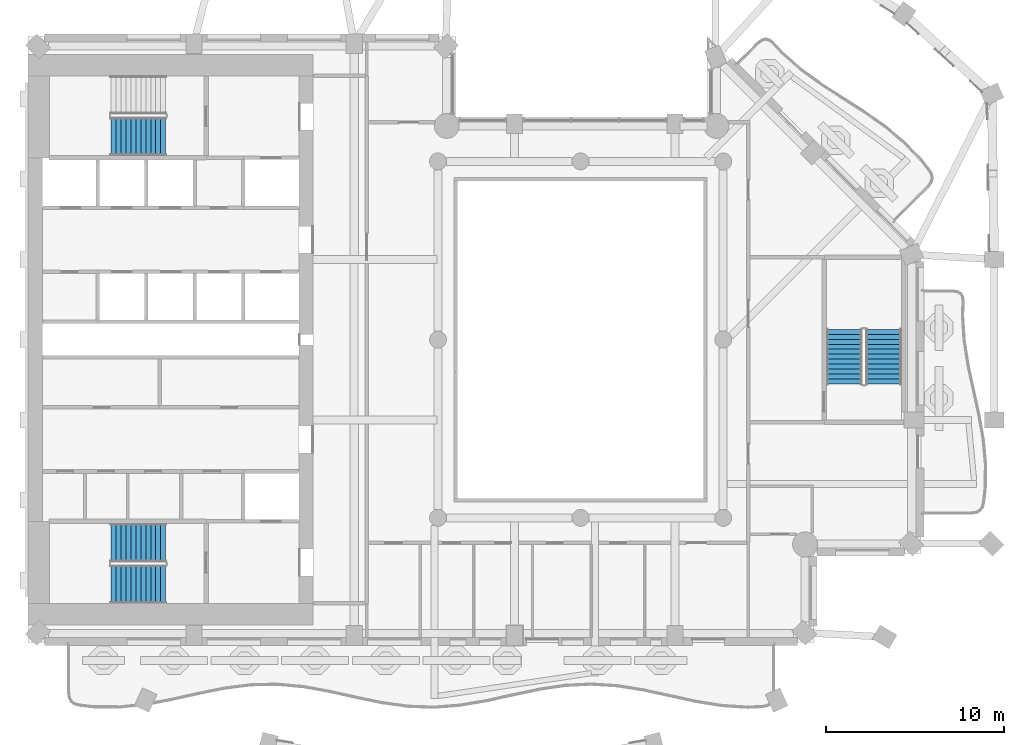
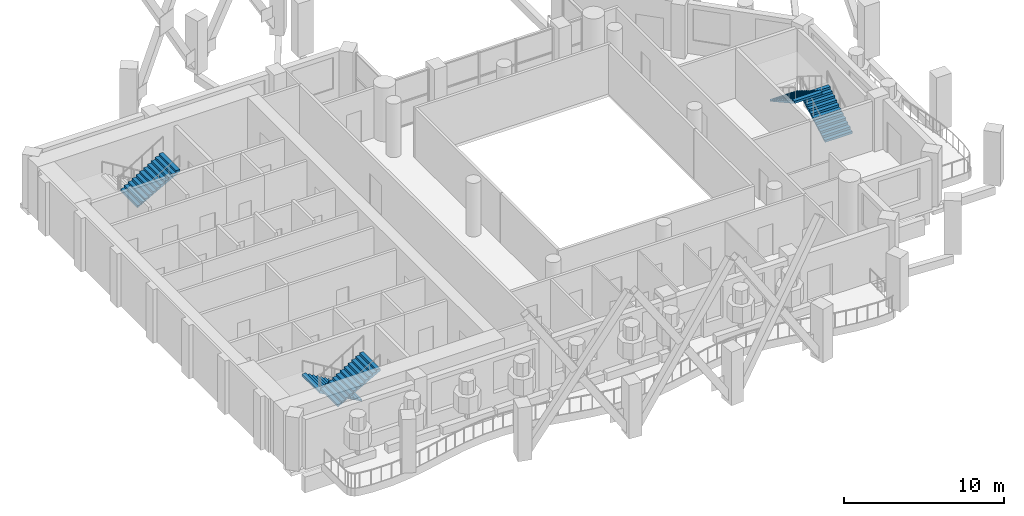
# One storey, part 9 of 16: 5 stair flights, 3 elements without a shape of their own.
"""IFC4 building model written with IfcOpenShell, lengths in metres."""

from ifc_helpers import new_model, si_unit, direction, frame, origin, place, context, subcontext, project, spatial, triangles, material, type_object, element, aggregate, save


model = new_model("IFC4")

# Units and contexts
model_context = context("Model", 3, precision=1e-05, world=origin(), true_north=direction((0.0, 1.0)))
body_context = subcontext(model_context, "Body", "Model", "MODEL_VIEW")
ifc_project = project(units=[si_unit("LENGTHUNIT", "METRE"), si_unit("AREAUNIT", "SQUARE_METRE"), si_unit("VOLUMEUNIT", "CUBIC_METRE"), si_unit("PLANEANGLEUNIT", "RADIAN"), si_unit("MASSUNIT", "GRAM", prefix="KILO")], contexts=[model_context])

# Site, building, storey
site_placement = place(None, origin())
site = spatial("IfcSite", under=ifc_project, at=site_placement, CompositionType="ELEMENT")
building_placement = place(site_placement, origin())
building = spatial("IfcBuilding", under=site, at=building_placement, Name="Cypress Arch Tower", CompositionType="ELEMENT")
storey_placement = place(building_placement, frame((0.0, 0.0, 168.699951171875)))
storey = spatial("IfcBuildingStorey", under=building, at=storey_placement, Name="L36", CompositionType="ELEMENT", Elevation=168.699951171875)

# Stair, stair flights
ifc_material_1 = material(Name="Concrete C40/50", Category="concrete")
stair_type_1 = type_object("IfcStairType", Name="Exit stair ES1708-200", PredefinedType="HALF_TURN_STAIR", material=ifc_material_1)
stair_1_placement = place(storey_placement, origin())
stair_1 = element("IfcStair", 1, at=stair_1_placement, inside=storey, type_object=stair_type_1, Name="L36 Exit stair C", PredefinedType="HALF_TURN_STAIR")
ifc_material_2 = material(Name="Concrete C40/50", Category="concrete")
stair_flight_type_1 = type_object("IfcStairFlightType", Name="Exit stair flight ES1708-200", PredefinedType="STRAIGHT", material=ifc_material_2)
stair_flight_1_placement = place(storey_placement, frame((18.0, -2.5, 0.0), z_axis=(0.0, 0.0, 1.0), x_axis=(0.0, 1.0, 0.0)))
stair_flight_1 = element("IfcStairFlight", 2, at=stair_flight_1_placement, type_object=stair_flight_type_1, Name="C flight 1", NumberOfRisers=12, NumberOfTreads=11, PredefinedType="STRAIGHT", RiserHeight=0.170833333, TreadLength=0.28, context=body_context, shape_type="Tessellation", body=[
    triangles([(0.0, -1.0, 0.0), (0.0, -1.0, 0.1708984375), (0.280029296875, -1.0, 0.1708984375), (0.280029296875, -1.0, 0.341552734375), (0.56005859375, -1.0, 0.341552734375), (0.56005859375, -1.0, 0.512451171875), (0.840087890625, -1.0, 0.512451171875), (0.840087890625, -1.0, 0.683349609375), (1.1201171875, -1.0, 0.683349609375), (1.1201171875, -1.0, 0.854248046875), (1.39990234375, -1.0, 0.854248046875), (1.39990234375, -1.0, 1.02490234375), (1.679931640625, -1.0, 1.02490234375), (1.679931640625, -1.0, 1.19580078125), (1.9599609375, -1.0, 1.19580078125), (1.9599609375, -1.0, 1.36669921875), (2.239990234375, -1.0, 1.36669921875), (2.239990234375, -1.0, 1.53759765625), (2.52001953125, -1.0, 1.53759765625), (2.52001953125, -1.0, 1.708251953125), (2.800048828125, -1.0, 1.708251953125), (2.800048828125, -1.0, 1.879150390625), (3.080078125, -1.0, 1.879150390625), (3.080078125, -1.0, 1.70361328125), (3.080078125, 1.0, 1.70361328125), (3.080078125, 1.0, 1.879150390625), (2.800048828125, 1.0, 1.879150390625), (2.800048828125, 1.0, 1.708251953125), (2.52001953125, 1.0, 1.708251953125), (2.52001953125, 1.0, 1.53759765625), (2.239990234375, 1.0, 1.53759765625), (2.239990234375, 1.0, 1.36669921875), (1.9599609375, 1.0, 1.36669921875), (1.9599609375, 1.0, 1.19580078125), (1.679931640625, 1.0, 1.19580078125), (1.679931640625, 1.0, 1.02490234375), (1.39990234375, 1.0, 1.02490234375), (1.39990234375, 1.0, 0.854248046875), (1.1201171875, 1.0, 0.854248046875), (1.1201171875, 1.0, 0.683349609375), (0.840087890625, 1.0, 0.683349609375), (0.840087890625, 1.0, 0.512451171875), (0.56005859375, 1.0, 0.512451171875), (0.56005859375, 1.0, 0.341552734375), (0.280029296875, 1.0, 0.341552734375), (0.280029296875, 1.0, 0.1708984375), (0.0, 1.0, 0.1708984375), (0.0, 1.0, 0.0), (3.080078125, 0.0, 1.879150390625), (3.080078125, 0.0, 1.70361328125), (2.800048828125, 0.0, 1.879150390625), (2.800048828125, 0.0, 1.708251953125), (2.52001953125, 0.0, 1.708251953125), (2.52001953125, 0.0, 1.53759765625), (2.239990234375, 0.0, 1.53759765625), (2.239990234375, 0.0, 1.36669921875), (1.9599609375, 0.0, 1.36669921875), (1.9599609375, 0.0, 1.19580078125), (1.679931640625, 0.0, 1.19580078125), (1.679931640625, 0.0, 1.02490234375), (1.39990234375, 0.0, 1.02490234375), (1.39990234375, 0.0, 0.854248046875), (1.1201171875, 0.0, 0.854248046875), (1.1201171875, 0.0, 0.683349609375), (0.840087890625, 0.0, 0.683349609375), (0.840087890625, 0.0, 0.512451171875), (0.56005859375, 0.0, 0.512451171875), (0.56005859375, 0.0, 0.341552734375), (0.280029296875, 0.0, 0.341552734375), (0.280029296875, 0.0, 0.1708984375), (0.0, 0.0, 0.1708984375), (0.0, 0.0, 0.0)], [[24, 23, 22], [11, 10, 9], [19, 18, 17], [17, 16, 15], [15, 14, 13], [9, 8, 7], [7, 6, 5], [3, 2, 1], [21, 20, 19], [13, 12, 11], [5, 4, 3], [24, 22, 21], [24, 21, 19], [24, 19, 17], [24, 17, 15], [24, 15, 13], [24, 13, 11], [24, 11, 9], [24, 9, 7], [24, 7, 5], [1, 24, 5], [5, 3, 1], [25, 27, 26], [38, 40, 39], [30, 32, 31], [32, 34, 33], [34, 36, 35], [40, 42, 41], [42, 44, 43], [46, 48, 47], [28, 30, 29], [36, 38, 37], [44, 46, 45], [25, 28, 27], [25, 30, 28], [25, 32, 30], [25, 34, 32], [25, 36, 34], [25, 38, 36], [25, 40, 38], [25, 42, 40], [25, 44, 42], [48, 44, 25], [44, 48, 46], [50, 49, 23], [50, 23, 24], [25, 26, 49], [25, 49, 50], [49, 51, 22], [49, 22, 23], [26, 27, 51], [26, 51, 49], [51, 52, 21], [51, 21, 22], [27, 28, 52], [27, 52, 51], [52, 53, 20], [52, 20, 21], [28, 29, 53], [28, 53, 52], [53, 54, 19], [53, 19, 20], [29, 30, 54], [29, 54, 53], [54, 55, 18], [54, 18, 19], [30, 31, 55], [30, 55, 54], [55, 56, 17], [55, 17, 18], [31, 32, 56], [31, 56, 55], [56, 57, 16], [56, 16, 17], [32, 33, 57], [32, 57, 56], [57, 58, 15], [57, 15, 16], [33, 34, 58], [33, 58, 57], [58, 59, 14], [58, 14, 15], [34, 35, 59], [34, 59, 58], [59, 60, 13], [59, 13, 14], [35, 36, 60], [35, 60, 59], [60, 61, 12], [60, 12, 13], [36, 37, 61], [36, 61, 60], [61, 62, 11], [61, 11, 12], [37, 38, 62], [37, 62, 61], [62, 63, 10], [62, 10, 11], [38, 39, 63], [38, 63, 62], [63, 64, 9], [63, 9, 10], [39, 40, 64], [39, 64, 63], [64, 65, 8], [64, 8, 9], [40, 41, 65], [40, 65, 64], [65, 66, 7], [65, 7, 8], [41, 42, 66], [41, 66, 65], [66, 67, 6], [66, 6, 7], [42, 43, 67], [42, 67, 66], [67, 68, 5], [67, 5, 6], [43, 44, 68], [43, 68, 67], [68, 69, 4], [68, 4, 5], [44, 45, 69], [44, 69, 68], [69, 70, 3], [69, 3, 4], [45, 46, 70], [45, 70, 69], [70, 71, 2], [70, 2, 3], [46, 47, 71], [46, 71, 70], [71, 72, 1], [71, 1, 2], [47, 48, 72], [47, 72, 71], [72, 50, 24], [72, 24, 1], [48, 25, 50], [48, 50, 72]], closed=True),
])
stair_flight_2_placement = place(storey_placement, frame((15.800048828125, 0.580078125, 2.050048828125), z_axis=(0.0, 0.0, 1.0), x_axis=(0.0, -1.0, 0.0)))
stair_flight_2 = element("IfcStairFlight", 3, at=stair_flight_2_placement, type_object=stair_flight_type_1, Name="C flight 2", NumberOfRisers=12, NumberOfTreads=11, PredefinedType="STRAIGHT", RiserHeight=0.170833333, TreadLength=0.28, context=body_context, shape_type="Tessellation", body=[
    triangles([(0.0, -1.0, 0.0), (0.0, -1.0, 0.1708984375), (0.280029296875, -1.0, 0.1708984375), (0.280029296875, -1.0, 0.341552734375), (0.56005859375, -1.0, 0.341552734375), (0.56005859375, -1.0, 0.512451171875), (0.840087890625, -1.0, 0.512451171875), (0.840087890625, -1.0, 0.683349609375), (1.1201171875, -1.0, 0.683349609375), (1.1201171875, -1.0, 0.854248046875), (1.39990234375, -1.0, 0.854248046875), (1.39990234375, -1.0, 1.02490234375), (1.679931640625, -1.0, 1.02490234375), (1.679931640625, -1.0, 1.19580078125), (1.9599609375, -1.0, 1.19580078125), (1.9599609375, -1.0, 1.36669921875), (2.239990234375, -1.0, 1.36669921875), (2.239990234375, -1.0, 1.53759765625), (2.52001953125, -1.0, 1.53759765625), (2.52001953125, -1.0, 1.708251953125), (2.800048828125, -1.0, 1.708251953125), (2.800048828125, -1.0, 1.879150390625), (3.080078125, -1.0, 1.879150390625), (3.080078125, -1.0, 1.70361328125), (3.080078125, 1.0, 1.70361328125), (3.080078125, 1.0, 1.879150390625), (2.800048828125, 1.0, 1.879150390625), (2.800048828125, 1.0, 1.708251953125), (2.52001953125, 1.0, 1.708251953125), (2.52001953125, 1.0, 1.53759765625), (2.239990234375, 1.0, 1.53759765625), (2.239990234375, 1.0, 1.36669921875), (1.9599609375, 1.0, 1.36669921875), (1.9599609375, 1.0, 1.19580078125), (1.679931640625, 1.0, 1.19580078125), (1.679931640625, 1.0, 1.02490234375), (1.39990234375, 1.0, 1.02490234375), (1.39990234375, 1.0, 0.854248046875), (1.1201171875, 1.0, 0.854248046875), (1.1201171875, 1.0, 0.683349609375), (0.840087890625, 1.0, 0.683349609375), (0.840087890625, 1.0, 0.512451171875), (0.56005859375, 1.0, 0.512451171875), (0.56005859375, 1.0, 0.341552734375), (0.280029296875, 1.0, 0.341552734375), (0.280029296875, 1.0, 0.1708984375), (0.0, 1.0, 0.1708984375), (0.0, 1.0, 0.0), (3.080078125, 0.0, 1.879150390625), (3.080078125, 0.0, 1.70361328125), (2.800048828125, 0.0, 1.879150390625), (2.800048828125, 0.0, 1.708251953125), (2.52001953125, 0.0, 1.708251953125), (2.52001953125, 0.0, 1.53759765625), (2.239990234375, 0.0, 1.53759765625), (2.239990234375, 0.0, 1.36669921875), (1.9599609375, 0.0, 1.36669921875), (1.9599609375, 0.0, 1.19580078125), (1.679931640625, 0.0, 1.19580078125), (1.679931640625, 0.0, 1.02490234375), (1.39990234375, 0.0, 1.02490234375), (1.39990234375, 0.0, 0.854248046875), (1.1201171875, 0.0, 0.854248046875), (1.1201171875, 0.0, 0.683349609375), (0.840087890625, 0.0, 0.683349609375), (0.840087890625, 0.0, 0.512451171875), (0.56005859375, 0.0, 0.512451171875), (0.56005859375, 0.0, 0.341552734375), (0.280029296875, 0.0, 0.341552734375), (0.280029296875, 0.0, 0.1708984375), (0.0, 0.0, 0.1708984375), (0.0, 0.0, 0.0)], [[24, 23, 22], [11, 10, 9], [19, 18, 17], [17, 16, 15], [15, 14, 13], [9, 8, 7], [7, 6, 5], [3, 2, 1], [21, 20, 19], [13, 12, 11], [5, 4, 3], [24, 22, 21], [24, 21, 19], [24, 19, 17], [24, 17, 15], [24, 15, 13], [24, 13, 11], [24, 11, 9], [24, 9, 7], [24, 7, 5], [1, 24, 5], [5, 3, 1], [25, 27, 26], [38, 40, 39], [30, 32, 31], [32, 34, 33], [34, 36, 35], [40, 42, 41], [42, 44, 43], [46, 48, 47], [28, 30, 29], [36, 38, 37], [44, 46, 45], [25, 28, 27], [25, 30, 28], [25, 32, 30], [25, 34, 32], [25, 36, 34], [25, 38, 36], [25, 40, 38], [25, 42, 40], [25, 44, 42], [48, 44, 25], [44, 48, 46], [50, 49, 23], [50, 23, 24], [25, 26, 49], [25, 49, 50], [49, 51, 22], [49, 22, 23], [26, 27, 51], [26, 51, 49], [51, 52, 21], [51, 21, 22], [27, 28, 52], [27, 52, 51], [52, 53, 20], [52, 20, 21], [28, 29, 53], [28, 53, 52], [53, 54, 19], [53, 19, 20], [29, 30, 54], [29, 54, 53], [54, 55, 18], [54, 18, 19], [30, 31, 55], [30, 55, 54], [55, 56, 17], [55, 17, 18], [31, 32, 56], [31, 56, 55], [56, 57, 16], [56, 16, 17], [32, 33, 57], [32, 57, 56], [57, 58, 15], [57, 15, 16], [33, 34, 58], [33, 58, 57], [58, 59, 14], [58, 14, 15], [34, 35, 59], [34, 59, 58], [59, 60, 13], [59, 13, 14], [35, 36, 60], [35, 60, 59], [60, 61, 12], [60, 12, 13], [36, 37, 61], [36, 61, 60], [61, 62, 11], [61, 11, 12], [37, 38, 62], [37, 62, 61], [62, 63, 10], [62, 10, 11], [38, 39, 63], [38, 63, 62], [63, 64, 9], [63, 9, 10], [39, 40, 64], [39, 64, 63], [64, 65, 8], [64, 8, 9], [40, 41, 65], [40, 65, 64], [65, 66, 7], [65, 7, 8], [41, 42, 66], [41, 66, 65], [66, 67, 6], [66, 6, 7], [42, 43, 67], [42, 67, 66], [67, 68, 5], [67, 5, 6], [43, 44, 68], [43, 68, 67], [68, 69, 4], [68, 4, 5], [44, 45, 69], [44, 69, 68], [69, 70, 3], [69, 3, 4], [45, 46, 70], [45, 70, 69], [70, 71, 2], [70, 2, 3], [46, 47, 71], [46, 71, 70], [71, 72, 1], [71, 1, 2], [47, 48, 72], [47, 72, 71], [72, 50, 24], [72, 24, 1], [48, 25, 50], [48, 50, 72]], closed=True),
])
aggregate(stair_1, [stair_flight_1, stair_flight_2])

ifc_material_3 = material(Name="Concrete C40/50", Category="concrete")
stair_type_2 = type_object("IfcStairType", Name="Exit stair ES1708-215", PredefinedType="HALF_TURN_STAIR", material=ifc_material_3)
stair_2_placement = place(storey_placement, origin())
stair_2 = element("IfcStair", 4, at=stair_2_placement, inside=storey, type_object=stair_type_2, Name="L36 Exit stair A", PredefinedType="HALF_TURN_STAIR")
ifc_material_4 = material(Name="Concrete C40/50", Category="concrete")
stair_flight_type_2 = type_object("IfcStairFlightType", Name="Exit stair flight ES1708-215", PredefinedType="STRAIGHT", material=ifc_material_4)
stair_flight_3_placement = place(storey_placement, frame((-22.27490234375, -11.39990234375, 0.0), z_axis=(0.0, 0.0, 1.0), x_axis=(-1.0, 0.0, 0.0)))
stair_flight_3 = element("IfcStairFlight", 5, at=stair_flight_3_placement, type_object=stair_flight_type_2, Name="A flight 1", NumberOfRisers=12, NumberOfTreads=11, PredefinedType="STRAIGHT", RiserHeight=0.170833333, TreadLength=0.28, context=body_context, shape_type="Tessellation", body=[
    triangles([(0.0, -1.074951171875, 0.0), (0.000244140625, -1.074951171875, 0.01904296875), (0.000244140625, -1.074951171875, 0.0380859375), (0.00048828125, -1.074951171875, 0.056884765625), (0.00048828125, -1.074951171875, 0.075927734375), (0.00048828125, -1.074951171875, 0.094970703125), (0.00048828125, -1.074951171875, 0.114013671875), (0.000244140625, -1.074951171875, 0.1328125), (0.000244140625, -1.074951171875, 0.15185546875), (0.0, -1.074951171875, 0.1708984375), (0.280029296875, -1.074951171875, 0.1708984375), (0.280029296875, -1.074951171875, 0.341552734375), (0.56005859375, -1.074951171875, 0.341552734375), (0.56005859375, -1.074951171875, 0.512451171875), (0.840087890625, -1.074951171875, 0.512451171875), (0.840087890625, -1.074951171875, 0.683349609375), (1.1201171875, -1.074951171875, 0.683349609375), (1.1201171875, -1.074951171875, 0.854248046875), (1.39990234375, -1.074951171875, 0.854248046875), (1.39990234375, -1.074951171875, 1.02490234375), (1.679931640625, -1.074951171875, 1.02490234375), (1.679931640625, -1.074951171875, 1.19580078125), (1.9599609375, -1.074951171875, 1.19580078125), (1.9599609375, -1.074951171875, 1.36669921875), (2.239990234375, -1.074951171875, 1.36669921875), (2.239990234375, -1.074951171875, 1.53759765625), (2.52001953125, -1.074951171875, 1.53759765625), (2.52001953125, -1.074951171875, 1.708251953125), (2.800048828125, -1.074951171875, 1.708251953125), (2.800048828125, -1.074951171875, 1.879150390625), (3.080078125, -1.074951171875, 1.879150390625), (3.079833984375, -1.074951171875, 1.859619140625), (3.079833984375, -1.074951171875, 1.840087890625), (3.07958984375, -1.074951171875, 1.820556640625), (3.07958984375, -1.074951171875, 1.801025390625), (3.07958984375, -1.074951171875, 1.78173828125), (3.07958984375, -1.074951171875, 1.76220703125), (3.079833984375, -1.074951171875, 1.74267578125), (3.079833984375, -1.074951171875, 1.72314453125), (3.080078125, -1.074951171875, 1.70361328125), (3.080078125, 1.074951171875, 1.70361328125), (3.079833984375, 1.074951171875, 1.72314453125), (3.079833984375, 1.074951171875, 1.74267578125), (3.07958984375, 1.074951171875, 1.76220703125), (3.07958984375, 1.074951171875, 1.78173828125), (3.07958984375, 1.074951171875, 1.801025390625), (3.07958984375, 1.074951171875, 1.820556640625), (3.079833984375, 1.074951171875, 1.840087890625), (3.079833984375, 1.074951171875, 1.859619140625), (3.080078125, 1.074951171875, 1.879150390625), (2.800048828125, 1.074951171875, 1.879150390625), (2.800048828125, 1.074951171875, 1.708251953125), (2.52001953125, 1.074951171875, 1.708251953125), (2.52001953125, 1.074951171875, 1.53759765625), (2.239990234375, 1.074951171875, 1.53759765625), (2.239990234375, 1.074951171875, 1.36669921875), (1.9599609375, 1.074951171875, 1.36669921875), (1.9599609375, 1.074951171875, 1.19580078125), (1.679931640625, 1.074951171875, 1.19580078125), (1.679931640625, 1.074951171875, 1.02490234375), (1.39990234375, 1.074951171875, 1.02490234375), (1.39990234375, 1.074951171875, 0.854248046875), (1.1201171875, 1.074951171875, 0.854248046875), (1.1201171875, 1.074951171875, 0.683349609375), (0.840087890625, 1.074951171875, 0.683349609375), (0.840087890625, 1.074951171875, 0.512451171875), (0.56005859375, 1.074951171875, 0.512451171875), (0.56005859375, 1.074951171875, 0.341552734375), (0.280029296875, 1.074951171875, 0.341552734375), (0.280029296875, 1.074951171875, 0.1708984375), (0.0, 1.074951171875, 0.1708984375), (0.000244140625, 1.074951171875, 0.15185546875), (0.000244140625, 1.074951171875, 0.1328125), (0.00048828125, 1.074951171875, 0.114013671875), (0.00048828125, 1.074951171875, 0.094970703125), (0.00048828125, 1.074951171875, 0.075927734375), (0.00048828125, 1.074951171875, 0.056884765625), (0.000244140625, 1.074951171875, 0.0380859375), (0.000244140625, 1.074951171875, 0.01904296875), (0.0, 1.074951171875, 0.0)], [[40, 39, 30], [39, 38, 30], [38, 37, 30], [37, 36, 30], [36, 35, 30], [35, 34, 30], [34, 33, 30], [33, 32, 30], [32, 31, 30], [19, 18, 17], [27, 26, 25], [25, 24, 23], [23, 22, 21], [17, 16, 15], [15, 14, 13], [10, 9, 11], [9, 8, 11], [8, 7, 11], [7, 6, 11], [6, 5, 11], [5, 4, 11], [4, 3, 11], [3, 2, 11], [2, 1, 11], [29, 28, 27], [21, 20, 19], [13, 12, 11], [40, 30, 29], [40, 29, 27], [40, 27, 25], [40, 25, 23], [40, 23, 21], [40, 21, 19], [40, 19, 17], [40, 17, 15], [40, 15, 13], [1, 40, 13], [13, 11, 1], [41, 51, 42], [42, 51, 43], [43, 51, 44], [44, 51, 45], [45, 51, 46], [46, 51, 47], [47, 51, 48], [48, 51, 49], [49, 51, 50], [62, 64, 63], [54, 56, 55], [56, 58, 57], [58, 60, 59], [64, 66, 65], [66, 68, 67], [71, 70, 72], [72, 70, 73], [73, 70, 74], [74, 70, 75], [75, 70, 76], [76, 70, 77], [77, 70, 78], [78, 70, 79], [79, 70, 80], [52, 54, 53], [60, 62, 61], [68, 70, 69], [41, 52, 51], [41, 54, 52], [41, 56, 54], [41, 58, 56], [41, 60, 58], [41, 62, 60], [41, 64, 62], [41, 66, 64], [41, 68, 66], [80, 68, 41], [68, 80, 70], [41, 42, 39], [41, 39, 40], [42, 43, 38], [42, 38, 39], [43, 44, 37], [43, 37, 38], [44, 45, 36], [44, 36, 37], [45, 46, 35], [45, 35, 36], [46, 47, 34], [46, 34, 35], [47, 48, 33], [47, 33, 34], [48, 49, 32], [48, 32, 33], [49, 50, 31], [49, 31, 32], [50, 51, 30], [50, 30, 31], [51, 52, 29], [51, 29, 30], [52, 53, 28], [52, 28, 29], [53, 54, 27], [53, 27, 28], [54, 55, 26], [54, 26, 27], [55, 56, 25], [55, 25, 26], [56, 57, 24], [56, 24, 25], [57, 58, 23], [57, 23, 24], [58, 59, 22], [58, 22, 23], [59, 60, 21], [59, 21, 22], [60, 61, 20], [60, 20, 21], [61, 62, 19], [61, 19, 20], [62, 63, 18], [62, 18, 19], [63, 64, 17], [63, 17, 18], [64, 65, 16], [64, 16, 17], [65, 66, 15], [65, 15, 16], [66, 67, 14], [66, 14, 15], [67, 68, 13], [67, 13, 14], [68, 69, 12], [68, 12, 13], [69, 70, 11], [69, 11, 12], [70, 71, 10], [70, 10, 11], [71, 72, 9], [71, 9, 10], [72, 73, 8], [72, 8, 9], [73, 74, 7], [73, 7, 8], [74, 75, 6], [74, 6, 7], [75, 76, 5], [75, 5, 6], [76, 77, 4], [76, 4, 5], [77, 78, 3], [77, 3, 4], [78, 79, 2], [78, 2, 3], [79, 80, 1], [79, 1, 2], [80, 41, 40], [80, 40, 1]], closed=True),
])
stair_flight_4_placement = place(storey_placement, frame((-25.35498046875, -13.72509765625, 2.050048828125), z_axis=(0.0, 0.0, 1.0), x_axis=(1.0, 0.0, 0.0)))
stair_flight_4 = element("IfcStairFlight", 6, at=stair_flight_4_placement, type_object=stair_flight_type_2, Name="A flight 2", NumberOfRisers=12, NumberOfTreads=11, PredefinedType="STRAIGHT", RiserHeight=0.170833333, TreadLength=0.28, context=body_context, shape_type="Tessellation", body=[
    triangles([(0.0, -1.074951171875, 0.0), (0.000244140625, -1.074951171875, 0.01904296875), (0.000244140625, -1.074951171875, 0.0380859375), (0.00048828125, -1.074951171875, 0.056884765625), (0.00048828125, -1.074951171875, 0.075927734375), (0.00048828125, -1.074951171875, 0.094970703125), (0.00048828125, -1.074951171875, 0.114013671875), (0.000244140625, -1.074951171875, 0.1328125), (0.000244140625, -1.074951171875, 0.15185546875), (0.0, -1.074951171875, 0.1708984375), (0.280029296875, -1.074951171875, 0.1708984375), (0.280029296875, -1.074951171875, 0.341552734375), (0.56005859375, -1.074951171875, 0.341552734375), (0.56005859375, -1.074951171875, 0.512451171875), (0.840087890625, -1.074951171875, 0.512451171875), (0.840087890625, -1.074951171875, 0.683349609375), (1.1201171875, -1.074951171875, 0.683349609375), (1.1201171875, -1.074951171875, 0.854248046875), (1.39990234375, -1.074951171875, 0.854248046875), (1.39990234375, -1.074951171875, 1.02490234375), (1.679931640625, -1.074951171875, 1.02490234375), (1.679931640625, -1.074951171875, 1.19580078125), (1.9599609375, -1.074951171875, 1.19580078125), (1.9599609375, -1.074951171875, 1.36669921875), (2.239990234375, -1.074951171875, 1.36669921875), (2.239990234375, -1.074951171875, 1.53759765625), (2.52001953125, -1.074951171875, 1.53759765625), (2.52001953125, -1.074951171875, 1.708251953125), (2.800048828125, -1.074951171875, 1.708251953125), (2.800048828125, -1.074951171875, 1.879150390625), (3.080078125, -1.074951171875, 1.879150390625), (3.079833984375, -1.074951171875, 1.859619140625), (3.079833984375, -1.074951171875, 1.840087890625), (3.07958984375, -1.074951171875, 1.820556640625), (3.07958984375, -1.074951171875, 1.801025390625), (3.07958984375, -1.074951171875, 1.78173828125), (3.07958984375, -1.074951171875, 1.76220703125), (3.079833984375, -1.074951171875, 1.74267578125), (3.079833984375, -1.074951171875, 1.72314453125), (3.080078125, -1.074951171875, 1.70361328125), (3.080078125, 1.074951171875, 1.70361328125), (3.079833984375, 1.074951171875, 1.72314453125), (3.079833984375, 1.074951171875, 1.74267578125), (3.07958984375, 1.074951171875, 1.76220703125), (3.07958984375, 1.074951171875, 1.78173828125), (3.07958984375, 1.074951171875, 1.801025390625), (3.07958984375, 1.074951171875, 1.820556640625), (3.079833984375, 1.074951171875, 1.840087890625), (3.079833984375, 1.074951171875, 1.859619140625), (3.080078125, 1.074951171875, 1.879150390625), (2.800048828125, 1.074951171875, 1.879150390625), (2.800048828125, 1.074951171875, 1.708251953125), (2.52001953125, 1.074951171875, 1.708251953125), (2.52001953125, 1.074951171875, 1.53759765625), (2.239990234375, 1.074951171875, 1.53759765625), (2.239990234375, 1.074951171875, 1.36669921875), (1.9599609375, 1.074951171875, 1.36669921875), (1.9599609375, 1.074951171875, 1.19580078125), (1.679931640625, 1.074951171875, 1.19580078125), (1.679931640625, 1.074951171875, 1.02490234375), (1.39990234375, 1.074951171875, 1.02490234375), (1.39990234375, 1.074951171875, 0.854248046875), (1.1201171875, 1.074951171875, 0.854248046875), (1.1201171875, 1.074951171875, 0.683349609375), (0.840087890625, 1.074951171875, 0.683349609375), (0.840087890625, 1.074951171875, 0.512451171875), (0.56005859375, 1.074951171875, 0.512451171875), (0.56005859375, 1.074951171875, 0.341552734375), (0.280029296875, 1.074951171875, 0.341552734375), (0.280029296875, 1.074951171875, 0.1708984375), (0.0, 1.074951171875, 0.1708984375), (0.000244140625, 1.074951171875, 0.15185546875), (0.000244140625, 1.074951171875, 0.1328125), (0.00048828125, 1.074951171875, 0.114013671875), (0.00048828125, 1.074951171875, 0.094970703125), (0.00048828125, 1.074951171875, 0.075927734375), (0.00048828125, 1.074951171875, 0.056884765625), (0.000244140625, 1.074951171875, 0.0380859375), (0.000244140625, 1.074951171875, 0.01904296875), (0.0, 1.074951171875, 0.0)], [[40, 39, 30], [39, 38, 30], [38, 37, 30], [37, 36, 30], [36, 35, 30], [35, 34, 30], [34, 33, 30], [33, 32, 30], [32, 31, 30], [19, 18, 17], [27, 26, 25], [25, 24, 23], [23, 22, 21], [17, 16, 15], [15, 14, 13], [10, 9, 11], [9, 8, 11], [8, 7, 11], [7, 6, 11], [6, 5, 11], [5, 4, 11], [4, 3, 11], [3, 2, 11], [2, 1, 11], [29, 28, 27], [21, 20, 19], [13, 12, 11], [40, 30, 29], [40, 29, 27], [40, 27, 25], [40, 25, 23], [40, 23, 21], [40, 21, 19], [40, 19, 17], [40, 17, 15], [40, 15, 13], [1, 40, 13], [13, 11, 1], [41, 51, 42], [42, 51, 43], [43, 51, 44], [44, 51, 45], [45, 51, 46], [46, 51, 47], [47, 51, 48], [48, 51, 49], [49, 51, 50], [62, 64, 63], [54, 56, 55], [56, 58, 57], [58, 60, 59], [64, 66, 65], [66, 68, 67], [71, 70, 72], [72, 70, 73], [73, 70, 74], [74, 70, 75], [75, 70, 76], [76, 70, 77], [77, 70, 78], [78, 70, 79], [79, 70, 80], [52, 54, 53], [60, 62, 61], [68, 70, 69], [41, 52, 51], [41, 54, 52], [41, 56, 54], [41, 58, 56], [41, 60, 58], [41, 62, 60], [41, 64, 62], [41, 66, 64], [41, 68, 66], [80, 68, 41], [68, 80, 70], [41, 42, 39], [41, 39, 40], [42, 43, 38], [42, 38, 39], [43, 44, 37], [43, 37, 38], [44, 45, 36], [44, 36, 37], [45, 46, 35], [45, 35, 36], [46, 47, 34], [46, 34, 35], [47, 48, 33], [47, 33, 34], [48, 49, 32], [48, 32, 33], [49, 50, 31], [49, 31, 32], [50, 51, 30], [50, 30, 31], [51, 52, 29], [51, 29, 30], [52, 53, 28], [52, 28, 29], [53, 54, 27], [53, 27, 28], [54, 55, 26], [54, 26, 27], [55, 56, 25], [55, 25, 26], [56, 57, 24], [56, 24, 25], [57, 58, 23], [57, 23, 24], [58, 59, 22], [58, 22, 23], [59, 60, 21], [59, 21, 22], [60, 61, 20], [60, 20, 21], [61, 62, 19], [61, 19, 20], [62, 63, 18], [62, 18, 19], [63, 64, 17], [63, 17, 18], [64, 65, 16], [64, 16, 17], [65, 66, 15], [65, 15, 16], [66, 67, 14], [66, 14, 15], [67, 68, 13], [67, 13, 14], [68, 69, 12], [68, 12, 13], [69, 70, 11], [69, 11, 12], [70, 71, 10], [70, 10, 11], [71, 72, 9], [71, 9, 10], [72, 73, 8], [72, 8, 9], [73, 74, 7], [73, 7, 8], [74, 75, 6], [74, 6, 7], [75, 76, 5], [75, 5, 6], [76, 77, 4], [76, 4, 5], [77, 78, 3], [77, 3, 4], [78, 79, 2], [78, 2, 3], [79, 80, 1], [79, 1, 2], [80, 41, 40], [80, 40, 1]], closed=True),
])
aggregate(stair_2, [stair_flight_3, stair_flight_4])

# Stair, stair flight
stair_3_placement = place(storey_placement, origin())
stair_3 = element("IfcStair", 7, at=stair_3_placement, inside=storey, type_object=stair_type_2, Name="L36 Exit stair B", PredefinedType="HALF_TURN_STAIR")
stair_flight_5_placement = place(storey_placement, frame((-25.35498046875, 11.39990234375, 2.050048828125), z_axis=(0.0, 0.0, 1.0), x_axis=(1.0, 0.0, 0.0)))
stair_flight_5 = element("IfcStairFlight", 8, at=stair_flight_5_placement, type_object=stair_flight_type_2, Name="B flight 2", NumberOfRisers=12, NumberOfTreads=11, PredefinedType="STRAIGHT", RiserHeight=0.170833333, TreadLength=0.28, context=body_context, shape_type="Tessellation", body=[
    triangles([(0.0, -1.074951171875, 0.0), (0.000244140625, -1.074951171875, 0.01904296875), (0.000244140625, -1.074951171875, 0.0380859375), (0.00048828125, -1.074951171875, 0.056884765625), (0.00048828125, -1.074951171875, 0.075927734375), (0.00048828125, -1.074951171875, 0.094970703125), (0.00048828125, -1.074951171875, 0.114013671875), (0.000244140625, -1.074951171875, 0.1328125), (0.000244140625, -1.074951171875, 0.15185546875), (0.0, -1.074951171875, 0.1708984375), (0.280029296875, -1.074951171875, 0.1708984375), (0.280029296875, -1.074951171875, 0.341552734375), (0.56005859375, -1.074951171875, 0.341552734375), (0.56005859375, -1.074951171875, 0.512451171875), (0.840087890625, -1.074951171875, 0.512451171875), (0.840087890625, -1.074951171875, 0.683349609375), (1.1201171875, -1.074951171875, 0.683349609375), (1.1201171875, -1.074951171875, 0.854248046875), (1.39990234375, -1.074951171875, 0.854248046875), (1.39990234375, -1.074951171875, 1.02490234375), (1.679931640625, -1.074951171875, 1.02490234375), (1.679931640625, -1.074951171875, 1.19580078125), (1.9599609375, -1.074951171875, 1.19580078125), (1.9599609375, -1.074951171875, 1.36669921875), (2.239990234375, -1.074951171875, 1.36669921875), (2.239990234375, -1.074951171875, 1.53759765625), (2.52001953125, -1.074951171875, 1.53759765625), (2.52001953125, -1.074951171875, 1.708251953125), (2.800048828125, -1.074951171875, 1.708251953125), (2.800048828125, -1.074951171875, 1.879150390625), (3.080078125, -1.074951171875, 1.879150390625), (3.079833984375, -1.074951171875, 1.859619140625), (3.079833984375, -1.074951171875, 1.840087890625), (3.07958984375, -1.074951171875, 1.820556640625), (3.07958984375, -1.074951171875, 1.801025390625), (3.07958984375, -1.074951171875, 1.78173828125), (3.07958984375, -1.074951171875, 1.76220703125), (3.079833984375, -1.074951171875, 1.74267578125), (3.079833984375, -1.074951171875, 1.72314453125), (3.080078125, -1.074951171875, 1.70361328125), (3.080078125, 1.074951171875, 1.70361328125), (3.079833984375, 1.074951171875, 1.72314453125), (3.079833984375, 1.074951171875, 1.74267578125), (3.07958984375, 1.074951171875, 1.76220703125), (3.07958984375, 1.074951171875, 1.78173828125), (3.07958984375, 1.074951171875, 1.801025390625), (3.07958984375, 1.074951171875, 1.820556640625), (3.079833984375, 1.074951171875, 1.840087890625), (3.079833984375, 1.074951171875, 1.859619140625), (3.080078125, 1.074951171875, 1.879150390625), (2.800048828125, 1.074951171875, 1.879150390625), (2.800048828125, 1.074951171875, 1.708251953125), (2.52001953125, 1.074951171875, 1.708251953125), (2.52001953125, 1.074951171875, 1.53759765625), (2.239990234375, 1.074951171875, 1.53759765625), (2.239990234375, 1.074951171875, 1.36669921875), (1.9599609375, 1.074951171875, 1.36669921875), (1.9599609375, 1.074951171875, 1.19580078125), (1.679931640625, 1.074951171875, 1.19580078125), (1.679931640625, 1.074951171875, 1.02490234375), (1.39990234375, 1.074951171875, 1.02490234375), (1.39990234375, 1.074951171875, 0.854248046875), (1.1201171875, 1.074951171875, 0.854248046875), (1.1201171875, 1.074951171875, 0.683349609375), (0.840087890625, 1.074951171875, 0.683349609375), (0.840087890625, 1.074951171875, 0.512451171875), (0.56005859375, 1.074951171875, 0.512451171875), (0.56005859375, 1.074951171875, 0.341552734375), (0.280029296875, 1.074951171875, 0.341552734375), (0.280029296875, 1.074951171875, 0.1708984375), (0.0, 1.074951171875, 0.1708984375), (0.000244140625, 1.074951171875, 0.15185546875), (0.000244140625, 1.074951171875, 0.1328125), (0.00048828125, 1.074951171875, 0.114013671875), (0.00048828125, 1.074951171875, 0.094970703125), (0.00048828125, 1.074951171875, 0.075927734375), (0.00048828125, 1.074951171875, 0.056884765625), (0.000244140625, 1.074951171875, 0.0380859375), (0.000244140625, 1.074951171875, 0.01904296875), (0.0, 1.074951171875, 0.0)], [[40, 39, 30], [39, 38, 30], [38, 37, 30], [37, 36, 30], [36, 35, 30], [35, 34, 30], [34, 33, 30], [33, 32, 30], [32, 31, 30], [19, 18, 17], [27, 26, 25], [25, 24, 23], [23, 22, 21], [17, 16, 15], [15, 14, 13], [10, 9, 11], [9, 8, 11], [8, 7, 11], [7, 6, 11], [6, 5, 11], [5, 4, 11], [4, 3, 11], [3, 2, 11], [2, 1, 11], [29, 28, 27], [21, 20, 19], [13, 12, 11], [40, 30, 29], [40, 29, 27], [40, 27, 25], [40, 25, 23], [40, 23, 21], [40, 21, 19], [40, 19, 17], [40, 17, 15], [40, 15, 13], [1, 40, 13], [13, 11, 1], [41, 51, 42], [42, 51, 43], [43, 51, 44], [44, 51, 45], [45, 51, 46], [46, 51, 47], [47, 51, 48], [48, 51, 49], [49, 51, 50], [62, 64, 63], [54, 56, 55], [56, 58, 57], [58, 60, 59], [64, 66, 65], [66, 68, 67], [71, 70, 72], [72, 70, 73], [73, 70, 74], [74, 70, 75], [75, 70, 76], [76, 70, 77], [77, 70, 78], [78, 70, 79], [79, 70, 80], [52, 54, 53], [60, 62, 61], [68, 70, 69], [41, 52, 51], [41, 54, 52], [41, 56, 54], [41, 58, 56], [41, 60, 58], [41, 62, 60], [41, 64, 62], [41, 66, 64], [41, 68, 66], [80, 68, 41], [68, 80, 70], [41, 42, 39], [41, 39, 40], [42, 43, 38], [42, 38, 39], [43, 44, 37], [43, 37, 38], [44, 45, 36], [44, 36, 37], [45, 46, 35], [45, 35, 36], [46, 47, 34], [46, 34, 35], [47, 48, 33], [47, 33, 34], [48, 49, 32], [48, 32, 33], [49, 50, 31], [49, 31, 32], [50, 51, 30], [50, 30, 31], [51, 52, 29], [51, 29, 30], [52, 53, 28], [52, 28, 29], [53, 54, 27], [53, 27, 28], [54, 55, 26], [54, 26, 27], [55, 56, 25], [55, 25, 26], [56, 57, 24], [56, 24, 25], [57, 58, 23], [57, 23, 24], [58, 59, 22], [58, 22, 23], [59, 60, 21], [59, 21, 22], [60, 61, 20], [60, 20, 21], [61, 62, 19], [61, 19, 20], [62, 63, 18], [62, 18, 19], [63, 64, 17], [63, 17, 18], [64, 65, 16], [64, 16, 17], [65, 66, 15], [65, 15, 16], [66, 67, 14], [66, 14, 15], [67, 68, 13], [67, 13, 14], [68, 69, 12], [68, 12, 13], [69, 70, 11], [69, 11, 12], [70, 71, 10], [70, 10, 11], [71, 72, 9], [71, 9, 10], [72, 73, 8], [72, 8, 9], [73, 74, 7], [73, 7, 8], [74, 75, 6], [74, 6, 7], [75, 76, 5], [75, 5, 6], [76, 77, 4], [76, 4, 5], [77, 78, 3], [77, 3, 4], [78, 79, 2], [78, 2, 3], [79, 80, 1], [79, 1, 2], [80, 41, 40], [80, 40, 1]], closed=True),
])
aggregate(stair_3, [stair_flight_5])

save(model, "model.ifc")
